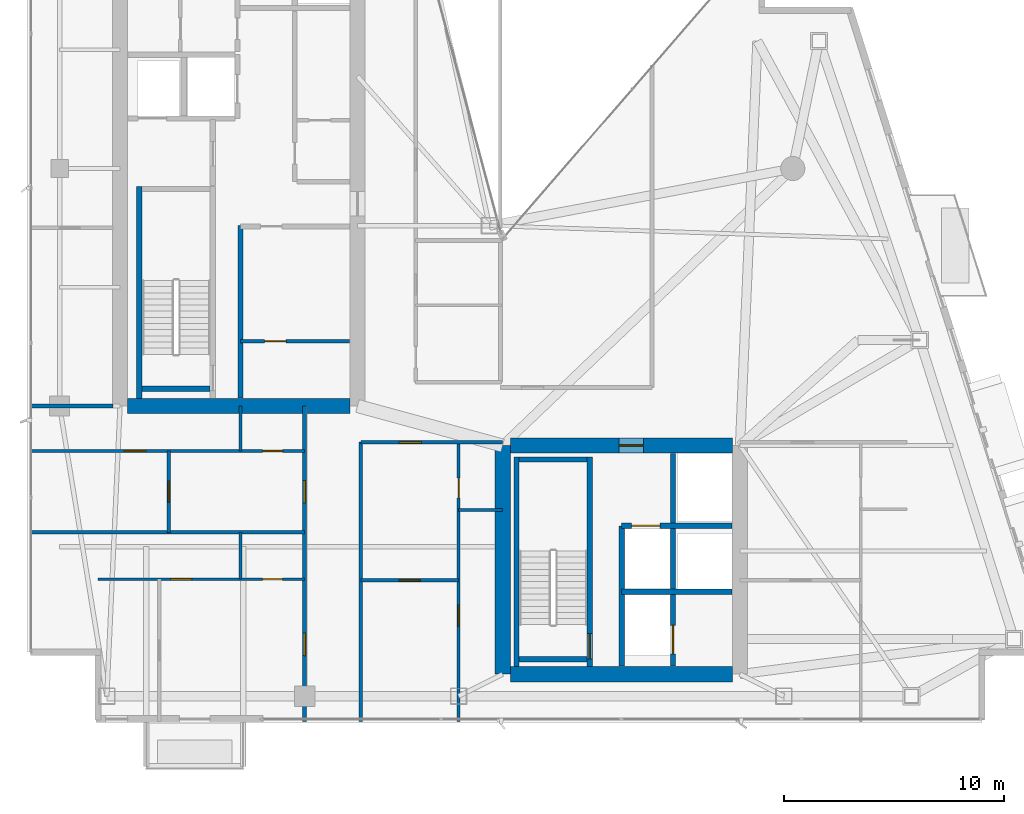
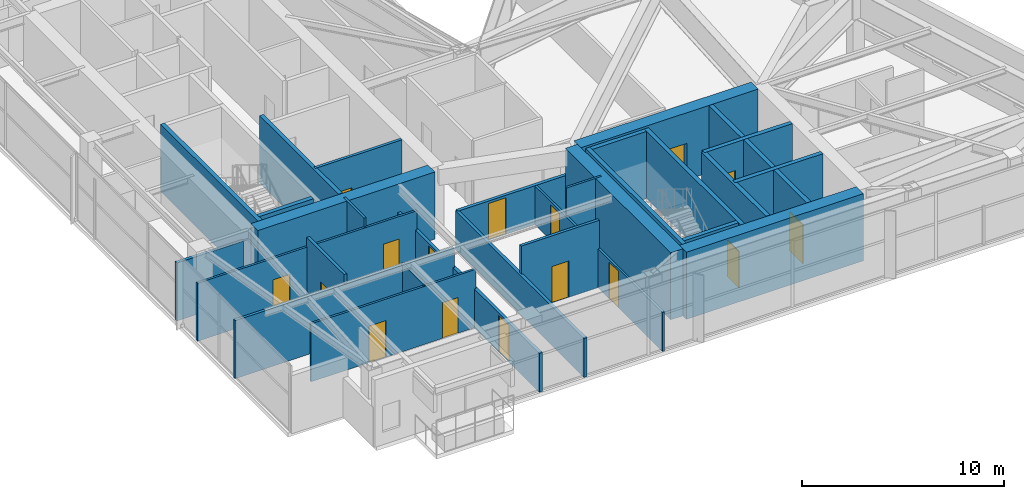
# One storey, part 24 of 29: 29 walls, 16 doors, 16 openings.
"""IFC4 building model written with IfcOpenShell, lengths in metres."""

from ifc_helpers import new_model, si_unit, direction, frame, frame_2d, origin, place, context, subcontext, project, spatial, rectangle, extrude, material, layer, layer_set, type_object, element, fill, save


model = new_model("IFC4")

# Units and contexts
model_context = context("Model", 3, precision=1e-05, world=origin(), true_north=direction((0.0, 1.0)))
body_context = subcontext(model_context, "Body", "Model", "MODEL_VIEW")
ifc_project = project(units=[si_unit("LENGTHUNIT", "METRE"), si_unit("AREAUNIT", "SQUARE_METRE"), si_unit("VOLUMEUNIT", "CUBIC_METRE"), si_unit("PLANEANGLEUNIT", "RADIAN"), si_unit("MASSUNIT", "GRAM", prefix="KILO")], contexts=[model_context])

# Site, building, storey
site_placement = place(None, origin())
site = spatial("IfcSite", under=ifc_project, at=site_placement, CompositionType="ELEMENT")
building_placement = place(site_placement, origin())
building = spatial("IfcBuilding", under=site, at=building_placement, Name="Calvorn Quay Hotel", CompositionType="ELEMENT")
storey_placement = place(building_placement, frame((0.0, 0.0, 259.0)))
storey = spatial("IfcBuildingStorey", under=building, at=storey_placement, Name="L64", CompositionType="ELEMENT", Elevation=259.0)

# Walls
ifc_material_1 = material(Name="Concrete C45", Category="concrete")
ifc_layer_1 = layer(ifc_material_1, 0.699951171875)
ifc_layer_set_1 = layer_set([ifc_layer_1], Name="WL-CORE-700")
wall_type_1 = type_object("IfcWallType", Name="WL-CORE-700", PredefinedType="SHEAR", material=ifc_layer_set_1)
wall_1_placement = place(storey_placement, frame((4.550048828125, 16.800048828125, 0.0), z_axis=(0.0, 0.0, 1.0), x_axis=(1.0, 0.0, 0.0)))
element("IfcWall", 1, at=wall_1_placement, inside=storey, type_object=wall_type_1, Name="West Core Shear Wall S (L64)", PredefinedType="SHEAR", context=body_context, shape_type="SweptSolid", body=[
    extrude(rectangle(XDim=10.099853515625, YDim=0.699951171875, at=frame_2d((5.0498046875, 0.0))), origin(), (0.0, 0.0, 1.0), 4.050048828125),
])
wall_2_placement = place(storey_placement, frame((21.60009765625, 4.60009765625, 0.0), z_axis=(0.0, 0.0, 1.0), x_axis=(0.0, 1.0, 0.0)))
element("IfcWall", 2, at=wall_2_placement, inside=storey, type_object=wall_type_1, Name="East Core Shear Wall W (L64)", PredefinedType="SHEAR", context=body_context, shape_type="SweptSolid", body=[
    extrude(rectangle(XDim=10.39990234375, YDim=0.699951171875, at=frame_2d((5.199951171875, 0.0))), origin(), (0.0, 0.0, 1.0), 4.050048828125),
])

# Wall, opening, door
wall_3_placement = place(storey_placement, frame((21.949951171875, 15.0, 0.0), z_axis=(0.0, 0.0, 1.0), x_axis=(1.0, 0.0, 0.0)))
wall_3 = element("IfcWall", 3, at=wall_3_placement, inside=storey, type_object=wall_type_1, Name="East Core Shear Wall N (L64)", PredefinedType="SHEAR", context=body_context, shape_type="SweptSolid", body=[
    extrude(rectangle(XDim=10.10009765625, YDim=0.699951171875, at=frame_2d((5.050048828125, 0.0))), origin(), (0.0, 0.0, 1.0), 4.050048828125),
])
opening_1_placement = place(wall_3_placement, frame((4.949951171875, 0.0, 0.0)))
opening_1 = element("IfcOpeningElement", 4, at=opening_1_placement, cuts=wall_3, Name="Opening D-L64-FLE", PredefinedType="OPENING", context=body_context, shape_type="SweptSolid", body=[
    extrude(rectangle(XDim=1.10009765625, YDim=2.199951171875, at=frame_2d((0.550048828125, 1.10009765625))), frame((0.0, 0.35986328125, 0.0), z_axis=(0.0, -1.0, 0.0), x_axis=(1.0, 0.0, 0.0)), (0.0, 0.0, 1.0), 0.719970703125),
])
ifc_material_2 = material(Name="Smoke-Sealed Steel Class A Fire Door", Category="steel")
door_type_1 = type_object("IfcDoorType", Name="DR-FFLOBBY-1100", OperationType="NOTDEFINED", PredefinedType="DOOR", material=ifc_material_2)
door_1_placement = place(opening_1_placement, origin())
door_1 = element("IfcDoor", 5, at=door_1_placement, inside=storey, type_object=door_type_1, Name="East Firefighting Lobby Fire Door (L64)", OperationType="SINGLE_SWING_RIGHT", OverallHeight=2.199951171875, OverallWidth=1.10009765625, PredefinedType="DOOR", context=body_context, shape_type="SweptSolid", body=[
    extrude(rectangle(XDim=1.10009765625, YDim=2.199951171875, at=frame_2d((0.550048828125, 1.10009765625))), frame((0.0, 0.02490234375, 0.0), z_axis=(0.0, -1.0, 0.0), x_axis=(1.0, 0.0, 0.0)), (0.0, 0.0, 1.0), 0.050048828125),
])
fill(opening_1, door_1)

# Walls
wall_4_placement = place(storey_placement, frame((21.949951171875, 4.60009765625, 0.0), z_axis=(0.0, 0.0, 1.0), x_axis=(1.0, 0.0, 0.0)))
element("IfcWall", 6, at=wall_4_placement, inside=storey, type_object=wall_type_1, Name="East Core Shear Wall S (L64)", PredefinedType="SHEAR", context=body_context, shape_type="SweptSolid", body=[
    extrude(rectangle(XDim=10.10009765625, YDim=0.699951171875, at=frame_2d((5.050048828125, 0.0))), origin(), (0.0, 0.0, 1.0), 4.050048828125),
])
ifc_material_3 = material(Name="Acoustic Fireboard Steel-Stud Partition", Category="steel")
ifc_layer_2 = layer(ifc_material_3, 0.179931640625)
ifc_layer_set_2 = layer_set([ifc_layer_2], Name="WL-CORR-FIRE-180")
wall_type_2 = type_object("IfcWallType", Name="WL-CORR-FIRE-180", PredefinedType="PARTITIONING", material=ifc_layer_set_2)
wall_5_placement = place(storey_placement, frame((0.080078125, 16.800048828125, 0.0), z_axis=(0.0, 0.0, 1.0), x_axis=(1.0, 0.0, 0.0)))
element("IfcWall", 7, at=wall_5_placement, inside=storey, type_object=wall_type_2, Name="Partition Wall L64-WL-WBAY-S-WALL", PredefinedType="PARTITIONING", context=body_context, shape_type="SweptSolid", body=[
    extrude(rectangle(XDim=3.7998046875, YDim=0.179931640625, at=frame_2d((1.89990234375, 0.0))), origin(), (0.0, 0.0, 1.0), 3.5),
])

# Wall, openings, doors
wall_6_placement = place(storey_placement, frame((12.60009765625, 2.43994140625, 0.0), z_axis=(0.0, 0.0, 1.0), x_axis=(0.0, 1.0, 0.0)))
wall_6 = element("IfcWall", 8, at=wall_6_placement, inside=storey, type_object=wall_type_2, Name="Partition Wall L64-WL-CORR-SW-LEG-W", PredefinedType="PARTITIONING", context=body_context, shape_type="SweptSolid", body=[
    extrude(rectangle(XDim=14.360107421875, YDim=0.179931640625, at=frame_2d((7.18017578125, 0.0))), origin(), (0.0, 0.0, 1.0), 2.35009765625),
])
opening_2_placement = place(wall_6_placement, frame((3.010009765625, 0.0, 0.0)))
opening_2 = element("IfcOpeningElement", 9, at=opening_2_placement, cuts=wall_6, Name="Opening D-L64-U01", PredefinedType="OPENING", context=body_context, shape_type="SweptSolid", body=[
    extrude(rectangle(XDim=1.02001953125, YDim=2.199951171875, at=frame_2d((0.510009765625, 1.10009765625))), frame((0.0, 0.099853515625, 0.0), z_axis=(0.0, -1.0, 0.0), x_axis=(1.0, 0.0, 0.0)), (0.0, 0.0, 1.0), 0.199951171875),
])
opening_3_placement = place(wall_6_placement, frame((9.949951171875, 0.0, 0.0)))
opening_3 = element("IfcOpeningElement", 10, at=opening_3_placement, cuts=wall_6, Name="Opening D-L64-U02", PredefinedType="OPENING", context=body_context, shape_type="SweptSolid", body=[
    extrude(rectangle(XDim=1.02001953125, YDim=2.199951171875, at=frame_2d((0.510009765625, 1.10009765625))), frame((0.0, 0.099853515625, 0.0), z_axis=(0.0, -1.0, 0.0), x_axis=(1.0, 0.0, 0.0)), (0.0, 0.0, 1.0), 0.199951171875),
])
ifc_material_4 = material(Name="Solid-Core Walnut Veneer Hotel Fire Door")
door_type_2 = type_object("IfcDoorType", Name="DR-GUEST-ENTRY-1020", OperationType="NOTDEFINED", PredefinedType="DOOR", material=ifc_material_4)
door_2_placement = place(opening_2_placement, origin())
door_2 = element("IfcDoor", 11, at=door_2_placement, inside=storey, type_object=door_type_2, Name="South-West Unit Door U01 (L64)", OperationType="SINGLE_SWING_LEFT", OverallHeight=2.199951171875, OverallWidth=1.02001953125, PredefinedType="DOOR", context=body_context, shape_type="SweptSolid", body=[
    extrude(rectangle(XDim=1.02001953125, YDim=2.199951171875, at=frame_2d((0.510009765625, 1.10009765625))), frame((0.0, 0.02490234375, 0.0), z_axis=(0.0, -1.0, 0.0), x_axis=(1.0, 0.0, 0.0)), (0.0, 0.0, 1.0), 0.050048828125),
])
fill(opening_2, door_2)
door_3_placement = place(opening_3_placement, origin())
door_3 = element("IfcDoor", 12, at=door_3_placement, inside=storey, type_object=door_type_2, Name="South-West Unit Door U02 (L64)", OperationType="SINGLE_SWING_RIGHT", OverallHeight=2.199951171875, OverallWidth=1.02001953125, PredefinedType="DOOR", context=body_context, shape_type="SweptSolid", body=[
    extrude(rectangle(XDim=1.02001953125, YDim=2.199951171875, at=frame_2d((0.510009765625, 1.10009765625))), frame((0.0, 0.02490234375, 0.0), z_axis=(0.0, -1.0, 0.0), x_axis=(1.0, 0.0, 0.0)), (0.0, 0.0, 1.0), 0.050048828125),
])
fill(opening_3, door_3)

# Wall
wall_7_placement = place(storey_placement, frame((15.14990234375, 2.43994140625, 0.0), z_axis=(0.0, 0.0, 1.0), x_axis=(0.0, 1.0, 0.0)))
element("IfcWall", 13, at=wall_7_placement, inside=storey, type_object=wall_type_2, Name="Partition Wall L64-WL-CORR-SW-W", PredefinedType="PARTITIONING", context=body_context, shape_type="SweptSolid", body=[
    extrude(rectangle(XDim=12.7099609375, YDim=0.179931640625, at=frame_2d((6.35498046875, 0.0))), origin(), (0.0, 0.0, 1.0), 2.35009765625),
])

# Wall, opening, door
wall_8_placement = place(storey_placement, frame((15.14990234375, 15.14990234375, 0.0), z_axis=(0.0, 0.0, 1.0), x_axis=(1.0, 0.0, 0.0)))
wall_8 = element("IfcWall", 14, at=wall_8_placement, inside=storey, type_object=wall_type_2, Name="Partition Wall L64-WL-SC-CORR-S", PredefinedType="PARTITIONING", context=body_context, shape_type="SweptSolid", body=[
    extrude(rectangle(XDim=6.4501953125, YDim=0.179931640625, at=frame_2d((3.22509765625, 0.0))), origin(), (0.0, 0.0, 1.0), 2.35009765625),
])
opening_4_placement = place(wall_8_placement, frame((1.739990234375, 0.0, 0.0)))
opening_4 = element("IfcOpeningElement", 15, at=opening_4_placement, cuts=wall_8, Name="Opening D-L64-U03", PredefinedType="OPENING", context=body_context, shape_type="SweptSolid", body=[
    extrude(rectangle(XDim=1.02001953125, YDim=2.199951171875, at=frame_2d((0.510009765625, 1.10009765625))), frame((0.0, 0.099853515625, 0.0), z_axis=(0.0, -1.0, 0.0), x_axis=(1.0, 0.0, 0.0)), (0.0, 0.0, 1.0), 0.199951171875),
])
door_4_placement = place(opening_4_placement, origin())
door_4 = element("IfcDoor", 16, at=door_4_placement, inside=storey, type_object=door_type_2, Name="Harbour Central Unit Door (L64)", OperationType="SINGLE_SWING_LEFT", OverallHeight=2.199951171875, OverallWidth=1.02001953125, PredefinedType="DOOR", context=body_context, shape_type="SweptSolid", body=[
    extrude(rectangle(XDim=1.02001953125, YDim=2.199951171875, at=frame_2d((0.510009765625, 1.10009765625))), frame((0.0, 0.02490234375, 0.0), z_axis=(0.0, -1.0, 0.0), x_axis=(1.0, 0.0, 0.0)), (0.0, 0.0, 1.0), 0.050048828125),
])
fill(opening_4, door_4)

# Wall
ifc_material_5 = material(Name="Moisture-Resistant Tile-Backed Partition")
ifc_layer_3 = layer(ifc_material_5, 0.125)
ifc_layer_set_3 = layer_set([ifc_layer_3], Name="WL-ENSUITE-125")
wall_type_3 = type_object("IfcWallType", Name="WL-ENSUITE-125", PredefinedType="PARTITIONING", material=ifc_layer_set_3)
wall_9_placement = place(storey_placement, frame((9.679931640625, 8.919921875, 0.0), z_axis=(0.0, 0.0, 1.0), x_axis=(0.0, 1.0, 0.0)))
element("IfcWall", 17, at=wall_9_placement, inside=storey, type_object=wall_type_3, Name="Partition Wall L64-WL-U01-BDV", PredefinedType="PARTITIONING", context=body_context, shape_type="SweptSolid", body=[
    extrude(rectangle(XDim=2.130126953125, YDim=0.125, at=frame_2d((1.06494140625, 0.0))), origin(), (0.0, 0.0, 1.0), 3.60009765625),
])

# Wall, openings, doors
wall_10_placement = place(storey_placement, frame((3.199951171875, 8.919921875, 0.0), z_axis=(0.0, 0.0, 1.0), x_axis=(1.0, 0.0, 0.0)))
wall_10 = element("IfcWall", 18, at=wall_10_placement, inside=storey, type_object=wall_type_3, Name="Partition Wall L64-WL-U01-BH", PredefinedType="PARTITIONING", context=body_context, shape_type="SweptSolid", body=[
    extrude(rectangle(XDim=9.400146484375, YDim=0.125, at=frame_2d((4.7001953125, 0.0))), origin(), (0.0, 0.0, 1.0), 3.5),
])
opening_5_placement = place(wall_10_placement, frame((3.300048828125, 0.0, 0.0)))
opening_5 = element("IfcOpeningElement", 19, at=opening_5_placement, cuts=wall_10, Name="Opening D-L64-S01", PredefinedType="OPENING", context=body_context, shape_type="SweptSolid", body=[
    extrude(rectangle(XDim=0.9599609375, YDim=2.199951171875, at=frame_2d((0.47998046875, 1.10009765625))), frame((0.0, 0.072509765625, 0.0), z_axis=(0.0, -1.0, 0.0), x_axis=(1.0, 0.0, 0.0)), (0.0, 0.0, 1.0), 0.14501953125),
])
opening_6_placement = place(wall_10_placement, frame((7.489990234375, 0.0, 0.0)))
opening_6 = element("IfcOpeningElement", 20, at=opening_6_placement, cuts=wall_10, Name="Opening D-L64-E01", PredefinedType="OPENING", context=body_context, shape_type="SweptSolid", body=[
    extrude(rectangle(XDim=0.89990234375, YDim=2.14990234375, at=frame_2d((0.449951171875, 1.074951171875))), frame((0.0, 0.072509765625, 0.0), z_axis=(0.0, -1.0, 0.0), x_axis=(1.0, 0.0, 0.0)), (0.0, 0.0, 1.0), 0.14501953125),
])
ifc_material_6 = material(Name="Moisture-Sealed Timber En-Suite Door", Category="wood")
door_type_3 = type_object("IfcDoorType", Name="DR-ENSUITE-900", OperationType="NOTDEFINED", PredefinedType="DOOR", material=ifc_material_6)
door_5_placement = place(opening_6_placement, origin())
door_5 = element("IfcDoor", 21, at=door_5_placement, inside=storey, type_object=door_type_3, Name="En-Suite Door 01", OperationType="SINGLE_SWING_RIGHT", OverallHeight=2.14990234375, OverallWidth=0.89990234375, PredefinedType="DOOR", context=body_context, shape_type="SweptSolid", body=[
    extrude(rectangle(XDim=0.89990234375, YDim=2.14990234375, at=frame_2d((0.449951171875, 1.074951171875))), frame((0.0, 0.02490234375, 0.0), z_axis=(0.0, -1.0, 0.0), x_axis=(1.0, 0.0, 0.0)), (0.0, 0.0, 1.0), 0.050048828125),
])
fill(opening_6, door_5)
ifc_material_7 = material(Name="Solid Timber Internal Suite Door", Category="wood")
door_type_4 = type_object("IfcDoorType", Name="DR-SUITE-INT-960", OperationType="NOTDEFINED", PredefinedType="DOOR", material=ifc_material_7)
door_6_placement = place(opening_5_placement, origin())
door_6 = element("IfcDoor", 22, at=door_6_placement, inside=storey, type_object=door_type_4, Name="Children Play Nursery Door 01", OperationType="SINGLE_SWING_LEFT", OverallHeight=2.199951171875, OverallWidth=0.9599609375, PredefinedType="DOOR", context=body_context, shape_type="SweptSolid", body=[
    extrude(rectangle(XDim=0.9599609375, YDim=2.199951171875, at=frame_2d((0.47998046875, 1.10009765625))), frame((0.0, 0.02490234375, 0.0), z_axis=(0.0, -1.0, 0.0), x_axis=(1.0, 0.0, 0.0)), (0.0, 0.0, 1.0), 0.050048828125),
])
fill(opening_5, door_6)

# Wall
wall_11_placement = place(storey_placement, frame((9.679931640625, 14.75, 0.0), z_axis=(0.0, 0.0, 1.0), x_axis=(0.0, 1.0, 0.0)))
element("IfcWall", 23, at=wall_11_placement, inside=storey, type_object=wall_type_3, Name="Partition Wall L64-WL-U02-BDV", PredefinedType="PARTITIONING", context=body_context, shape_type="SweptSolid", body=[
    extrude(rectangle(XDim=2.050048828125, YDim=0.125, at=frame_2d((1.02490234375, 0.0))), origin(), (0.0, 0.0, 1.0), 4.050048828125),
])

# Wall, openings, doors
wall_12_placement = place(storey_placement, frame((0.080078125, 14.75, 0.0), z_axis=(0.0, 0.0, 1.0), x_axis=(1.0, 0.0, 0.0)))
wall_12 = element("IfcWall", 24, at=wall_12_placement, inside=storey, type_object=wall_type_3, Name="Partition Wall L64-WL-U02-BH", PredefinedType="PARTITIONING", context=body_context, shape_type="SweptSolid", body=[
    extrude(rectangle(XDim=12.52001953125, YDim=0.125, at=frame_2d((6.260009765625, 0.0))), origin(), (0.0, 0.0, 1.0), 3.5),
])
opening_7_placement = place(wall_12_placement, frame((4.320068359375, 0.0, 0.0)))
opening_7 = element("IfcOpeningElement", 25, at=opening_7_placement, cuts=wall_12, Name="Opening D-L64-S02", PredefinedType="OPENING", context=body_context, shape_type="SweptSolid", body=[
    extrude(rectangle(XDim=0.9599609375, YDim=2.199951171875, at=frame_2d((0.47998046875, 1.10009765625))), frame((0.0, 0.072509765625, 0.0), z_axis=(0.0, -1.0, 0.0), x_axis=(1.0, 0.0, 0.0)), (0.0, 0.0, 1.0), 0.14501953125),
])
opening_8_placement = place(wall_12_placement, frame((10.610107421875, 0.0, 0.0)))
opening_8 = element("IfcOpeningElement", 26, at=opening_8_placement, cuts=wall_12, Name="Opening D-L64-E02", PredefinedType="OPENING", context=body_context, shape_type="SweptSolid", body=[
    extrude(rectangle(XDim=0.89990234375, YDim=2.14990234375, at=frame_2d((0.449951171875, 1.074951171875))), frame((0.0, 0.072509765625, 0.0), z_axis=(0.0, -1.0, 0.0), x_axis=(1.0, 0.0, 0.0)), (0.0, 0.0, 1.0), 0.14501953125),
])
door_7_placement = place(opening_8_placement, origin())
door_7 = element("IfcDoor", 27, at=door_7_placement, inside=storey, type_object=door_type_3, Name="En-Suite Door 02", OperationType="SINGLE_SWING_RIGHT", OverallHeight=2.14990234375, OverallWidth=0.89990234375, PredefinedType="DOOR", context=body_context, shape_type="SweptSolid", body=[
    extrude(rectangle(XDim=0.89990234375, YDim=2.14990234375, at=frame_2d((0.449951171875, 1.074951171875))), frame((0.0, 0.02490234375, 0.0), z_axis=(0.0, -1.0, 0.0), x_axis=(1.0, 0.0, 0.0)), (0.0, 0.0, 1.0), 0.050048828125),
])
fill(opening_8, door_7)
door_8_placement = place(opening_7_placement, origin())
door_8 = element("IfcDoor", 28, at=door_8_placement, inside=storey, type_object=door_type_4, Name="Children Play Nursery Door 02", OperationType="SINGLE_SWING_LEFT", OverallHeight=2.199951171875, OverallWidth=0.9599609375, PredefinedType="DOOR", context=body_context, shape_type="SweptSolid", body=[
    extrude(rectangle(XDim=0.9599609375, YDim=2.199951171875, at=frame_2d((0.47998046875, 1.10009765625))), frame((0.0, 0.02490234375, 0.0), z_axis=(0.0, -1.0, 0.0), x_axis=(1.0, 0.0, 0.0)), (0.0, 0.0, 1.0), 0.050048828125),
])
fill(opening_7, door_8)

# Wall
wall_13_placement = place(storey_placement, frame((19.60009765625, 12.070068359375, 0.0), z_axis=(0.0, 0.0, 1.0), x_axis=(1.0, 0.0, 0.0)))
element("IfcWall", 29, at=wall_13_placement, inside=storey, type_object=wall_type_3, Name="Partition Wall L64-WL-U03-BDV", PredefinedType="PARTITIONING", context=body_context, shape_type="SweptSolid", body=[
    extrude(rectangle(XDim=2.0, YDim=0.125, at=frame_2d((1.0, 0.0))), origin(), (0.0, 0.0, 1.0), 4.050048828125),
])

# Wall, openings, doors
wall_14_placement = place(storey_placement, frame((19.60009765625, 2.43994140625, 0.0), z_axis=(0.0, 0.0, 1.0), x_axis=(0.0, 1.0, 0.0)))
wall_14 = element("IfcWall", 30, at=wall_14_placement, inside=storey, type_object=wall_type_3, Name="Partition Wall L64-WL-U03-BV", PredefinedType="PARTITIONING", context=body_context, shape_type="SweptSolid", body=[
    extrude(rectangle(XDim=12.7099609375, YDim=0.125, at=frame_2d((6.35498046875, 0.0))), origin(), (0.0, 0.0, 1.0), 2.35009765625),
])
opening_9_placement = place(wall_14_placement, frame((4.340087890625, 0.0, 0.0)))
opening_9 = element("IfcOpeningElement", 31, at=opening_9_placement, cuts=wall_14, Name="Opening D-L64-S03", PredefinedType="OPENING", context=body_context, shape_type="SweptSolid", body=[
    extrude(rectangle(XDim=0.9599609375, YDim=2.199951171875, at=frame_2d((0.47998046875, 1.10009765625))), frame((0.0, 0.072509765625, 0.0), z_axis=(0.0, -1.0, 0.0), x_axis=(1.0, 0.0, 0.0)), (0.0, 0.0, 1.0), 0.14501953125),
])
opening_10_placement = place(wall_14_placement, frame((10.179931640625, 0.0, 0.0)))
opening_10 = element("IfcOpeningElement", 32, at=opening_10_placement, cuts=wall_14, Name="Opening D-L64-E03", PredefinedType="OPENING", context=body_context, shape_type="SweptSolid", body=[
    extrude(rectangle(XDim=0.89990234375, YDim=2.14990234375, at=frame_2d((0.449951171875, 1.074951171875))), frame((0.0, 0.072509765625, 0.0), z_axis=(0.0, -1.0, 0.0), x_axis=(1.0, 0.0, 0.0)), (0.0, 0.0, 1.0), 0.14501953125),
])
door_9_placement = place(opening_10_placement, origin())
door_9 = element("IfcDoor", 33, at=door_9_placement, inside=storey, type_object=door_type_3, Name="En-Suite Door 03", OperationType="SINGLE_SWING_RIGHT", OverallHeight=2.14990234375, OverallWidth=0.89990234375, PredefinedType="DOOR", context=body_context, shape_type="SweptSolid", body=[
    extrude(rectangle(XDim=0.89990234375, YDim=2.14990234375, at=frame_2d((0.449951171875, 1.074951171875))), frame((0.0, 0.02490234375, 0.0), z_axis=(0.0, -1.0, 0.0), x_axis=(1.0, 0.0, 0.0)), (0.0, 0.0, 1.0), 0.050048828125),
])
fill(opening_10, door_9)
door_10_placement = place(opening_9_placement, origin())
door_10 = element("IfcDoor", 34, at=door_10_placement, inside=storey, type_object=door_type_4, Name="Children Play Nursery Door 03", OperationType="SINGLE_SWING_LEFT", OverallHeight=2.199951171875, OverallWidth=0.9599609375, PredefinedType="DOOR", context=body_context, shape_type="SweptSolid", body=[
    extrude(rectangle(XDim=0.9599609375, YDim=2.199951171875, at=frame_2d((0.47998046875, 1.10009765625))), frame((0.0, 0.02490234375, 0.0), z_axis=(0.0, -1.0, 0.0), x_axis=(1.0, 0.0, 0.0)), (0.0, 0.0, 1.0), 0.050048828125),
])
fill(opening_9, door_10)

# Wall, opening, door
ifc_material_8 = material(Name="Double-Stud Acoustic Gypsum Partition")
ifc_layer_4 = layer(ifc_material_8, 0.159912109375)
ifc_layer_set_4 = layer_set([ifc_layer_4], Name="WL-INTERSUITE-160")
wall_type_4 = type_object("IfcWallType", Name="WL-INTERSUITE-160", PredefinedType="PARTITIONING", material=ifc_layer_set_4)
wall_15_placement = place(storey_placement, frame((9.679931640625, 19.75, 0.0), z_axis=(0.0, 0.0, 1.0), x_axis=(1.0, 0.0, 0.0)))
wall_15 = element("IfcWall", 35, at=wall_15_placement, inside=storey, type_object=wall_type_4, Name="Partition Wall L64-WL-CWW-FR-SPLIT", PredefinedType="PARTITIONING", context=body_context, shape_type="SweptSolid", body=[
    extrude(rectangle(XDim=4.949951171875, YDim=0.159912109375, at=frame_2d((2.47509765625, 0.0))), origin(), (0.0, 0.0, 1.0), 4.050048828125),
])
opening_11_placement = place(wall_15_placement, frame((1.10009765625, 0.0, 0.0)))
opening_11 = element("IfcOpeningElement", 36, at=opening_11_placement, cuts=wall_15, Name="Opening D-L64-FRL1", PredefinedType="OPENING", context=body_context, shape_type="SweptSolid", body=[
    extrude(rectangle(XDim=0.97998046875, YDim=2.14990234375, at=frame_2d((0.489990234375, 1.074951171875))), frame((0.0, 0.08984375, 0.0), z_axis=(0.0, -1.0, 0.0), x_axis=(1.0, 0.0, 0.0)), (0.0, 0.0, 1.0), 0.179931640625),
])
ifc_material_9 = material(Name="Painted Steel Housekeeping/Riser Fire Door", Category="steel")
door_type_5 = type_object("IfcDoorType", Name="DR-SERVICE-980", OperationType="NOTDEFINED", PredefinedType="DOOR", material=ifc_material_9)
door_11_placement = place(opening_11_placement, origin())
door_11 = element("IfcDoor", 37, at=door_11_placement, inside=storey, type_object=door_type_5, Name="Linen Store Room Door (L64)", OperationType="SINGLE_SWING_LEFT", OverallHeight=2.14990234375, OverallWidth=0.97998046875, PredefinedType="DOOR", context=body_context, shape_type="SweptSolid", body=[
    extrude(rectangle(XDim=0.97998046875, YDim=2.14990234375, at=frame_2d((0.489990234375, 1.074951171875))), frame((0.0, 0.02490234375, 0.0), z_axis=(0.0, -1.0, 0.0), x_axis=(1.0, 0.0, 0.0)), (0.0, 0.0, 1.0), 0.050048828125),
])
fill(opening_11, door_11)

wall_16_placement = place(storey_placement, frame((6.419921875, 11.050048828125, 0.0), z_axis=(0.0, 0.0, 1.0), x_axis=(0.0, 1.0, 0.0)))
wall_16 = element("IfcWall", 38, at=wall_16_placement, inside=storey, type_object=wall_type_4, Name="Partition Wall L64-WL-U02-MSP", PredefinedType="PARTITIONING", context=body_context, shape_type="SweptSolid", body=[
    extrude(rectangle(XDim=3.699951171875, YDim=0.159912109375, at=frame_2d((1.85009765625, 0.0))), origin(), (0.0, 0.0, 1.0), 4.050048828125),
])
opening_12_placement = place(wall_16_placement, frame((1.3701171875, 0.0, 0.0)))
opening_12 = element("IfcOpeningElement", 39, at=opening_12_placement, cuts=wall_16, Name="Opening D-L64-M02", PredefinedType="OPENING", context=body_context, shape_type="SweptSolid", body=[
    extrude(rectangle(XDim=0.9599609375, YDim=2.199951171875, at=frame_2d((0.47998046875, 1.10009765625))), frame((0.0, 0.08984375, 0.0), z_axis=(0.0, -1.0, 0.0), x_axis=(1.0, 0.0, 0.0)), (0.0, 0.0, 1.0), 0.179931640625),
])
door_12_placement = place(opening_12_placement, origin())
door_12 = element("IfcDoor", 40, at=door_12_placement, inside=storey, type_object=door_type_4, Name="Suite Bedroom Door 02", OperationType="SINGLE_SWING_LEFT", OverallHeight=2.199951171875, OverallWidth=0.9599609375, PredefinedType="DOOR", context=body_context, shape_type="SweptSolid", body=[
    extrude(rectangle(XDim=0.9599609375, YDim=2.199951171875, at=frame_2d((0.47998046875, 1.10009765625))), frame((0.0, 0.02490234375, 0.0), z_axis=(0.0, -1.0, 0.0), x_axis=(1.0, 0.0, 0.0)), (0.0, 0.0, 1.0), 0.050048828125),
])
fill(opening_12, door_12)

# Wall
wall_17_placement = place(storey_placement, frame((0.080078125, 11.050048828125, 0.0), z_axis=(0.0, 0.0, 1.0), x_axis=(1.0, 0.0, 0.0)))
element("IfcWall", 41, at=wall_17_placement, inside=storey, type_object=wall_type_4, Name="Partition Wall L64-WL-SW-DIV-1", PredefinedType="PARTITIONING", context=body_context, shape_type="SweptSolid", body=[
    extrude(rectangle(XDim=12.52001953125, YDim=0.159912109375, at=frame_2d((6.260009765625, 0.0))), origin(), (0.0, 0.0, 1.0), 3.5),
])

# Wall, opening, door
wall_18_placement = place(storey_placement, frame((15.14990234375, 8.8701171875, 0.0), z_axis=(0.0, 0.0, 1.0), x_axis=(1.0, 0.0, 0.0)))
wall_18 = element("IfcWall", 42, at=wall_18_placement, inside=storey, type_object=wall_type_4, Name="Partition Wall L64-WL-U03-MSP", PredefinedType="PARTITIONING", context=body_context, shape_type="SweptSolid", body=[
    extrude(rectangle(XDim=4.4501953125, YDim=0.159912109375, at=frame_2d((2.22509765625, 0.0))), origin(), (0.0, 0.0, 1.0), 4.050048828125),
])
opening_13_placement = place(wall_18_placement, frame((1.75, 0.0, 0.0)))
opening_13 = element("IfcOpeningElement", 43, at=opening_13_placement, cuts=wall_18, Name="Opening D-L64-M03", PredefinedType="OPENING", context=body_context, shape_type="SweptSolid", body=[
    extrude(rectangle(XDim=0.9599609375, YDim=2.199951171875, at=frame_2d((0.47998046875, 1.10009765625))), frame((0.0, 0.08984375, 0.0), z_axis=(0.0, -1.0, 0.0), x_axis=(1.0, 0.0, 0.0)), (0.0, 0.0, 1.0), 0.179931640625),
])
door_13_placement = place(opening_13_placement, origin())
door_13 = element("IfcDoor", 44, at=door_13_placement, inside=storey, type_object=door_type_4, Name="Suite Bedroom Door 03", OperationType="SINGLE_SWING_LEFT", OverallHeight=2.199951171875, OverallWidth=0.9599609375, PredefinedType="DOOR", context=body_context, shape_type="SweptSolid", body=[
    extrude(rectangle(XDim=0.9599609375, YDim=2.199951171875, at=frame_2d((0.47998046875, 1.10009765625))), frame((0.0, 0.02490234375, 0.0), z_axis=(0.0, -1.0, 0.0), x_axis=(1.0, 0.0, 0.0)), (0.0, 0.0, 1.0), 0.050048828125),
])
fill(opening_13, door_13)

# Walls
ifc_material_10 = material(Name="Autoclaved Aerated Masonry Block", Category="masonry")
ifc_layer_5 = layer(ifc_material_10, 0.219970703125)
ifc_layer_set_5 = layer_set([ifc_layer_5], Name="WL-LOBBY-FIRE-220")
wall_type_5 = type_object("IfcWallType", Name="WL-LOBBY-FIRE-220", PredefinedType="SOLIDWALL", material=ifc_layer_set_5)
wall_19_placement = place(storey_placement, frame((9.679931640625, 17.169921875, 0.0), z_axis=(0.0, 0.0, 1.0), x_axis=(0.0, 1.0, 0.0)))
element("IfcWall", 45, at=wall_19_placement, inside=storey, type_object=wall_type_5, Name="Partition Wall L64-WL-CWW-STW-HALL-E", PredefinedType="SOLIDWALL", context=body_context, shape_type="SweptSolid", body=[
    extrude(rectangle(XDim=7.830078125, YDim=0.219970703125, at=frame_2d((3.9150390625, 0.0))), origin(), (0.0, 0.0, 1.0), 4.050048828125),
])
ifc_material_11 = material(Name="Concrete C40", Category="concrete")
ifc_layer_6 = layer(ifc_material_11, 0.239990234375)
ifc_layer_set_6 = layer_set([ifc_layer_6], Name="WL-SHAFT-240")
wall_type_6 = type_object("IfcWallType", Name="WL-SHAFT-240", PredefinedType="SOLIDWALL", material=ifc_layer_set_6)
wall_20_placement = place(storey_placement, frame((5.080078125, 17.14990234375, 0.0), z_axis=(0.0, 0.0, 1.0), x_axis=(0.0, 1.0, 0.0)))
element("IfcWall", 46, at=wall_20_placement, inside=storey, type_object=wall_type_6, Name="Stair STW Shaft Wall W (L64)", PredefinedType="SOLIDWALL", context=body_context, shape_type="SweptSolid", body=[
    extrude(rectangle(XDim=9.64013671875, YDim=0.239990234375, at=frame_2d((4.820068359375, 0.0))), origin(), (0.0, 0.0, 1.0), 4.050048828125),
])
wall_21_placement = place(storey_placement, frame((5.199951171875, 17.580078125, 0.0), z_axis=(0.0, 0.0, 1.0), x_axis=(1.0, 0.0, 0.0)))
element("IfcWall", 47, at=wall_21_placement, inside=storey, type_object=wall_type_6, Name="Stair STW Shaft Wall S (L64)", PredefinedType="SOLIDWALL", context=body_context, shape_type="SweptSolid", body=[
    extrude(rectangle(XDim=3.10009765625, YDim=0.239990234375, at=frame_2d((1.550048828125, 0.0))), origin(), (0.0, 0.0, 1.0), 4.050048828125),
])
wall_22_placement = place(storey_placement, frame((22.22998046875, 4.949951171875, 0.0), z_axis=(0.0, 0.0, 1.0), x_axis=(0.0, 1.0, 0.0)))
element("IfcWall", 48, at=wall_22_placement, inside=storey, type_object=wall_type_6, Name="Stair STE Shaft Wall W (L64)", PredefinedType="SOLIDWALL", context=body_context, shape_type="SweptSolid", body=[
    extrude(rectangle(XDim=9.5400390625, YDim=0.239990234375, at=frame_2d((4.77001953125, 0.0))), origin(), (0.0, 0.0, 1.0), 4.050048828125),
])

# Wall, opening, door
wall_23_placement = place(storey_placement, frame((25.570068359375, 4.949951171875, 0.0), z_axis=(0.0, 0.0, 1.0), x_axis=(0.0, 1.0, 0.0)))
wall_23 = element("IfcWall", 49, at=wall_23_placement, inside=storey, type_object=wall_type_6, Name="Stair STE Shaft Wall E (L64)", PredefinedType="SOLIDWALL", context=body_context, shape_type="SweptSolid", body=[
    extrude(rectangle(XDim=9.5400390625, YDim=0.239990234375, at=frame_2d((4.77001953125, 0.0))), origin(), (0.0, 0.0, 1.0), 4.050048828125),
])
opening_14_placement = place(wall_23_placement, frame((0.35009765625, 0.0, 0.0)))
opening_14 = element("IfcOpeningElement", 50, at=opening_14_placement, cuts=wall_23, Name="Opening D-L64-STE", PredefinedType="OPENING", context=body_context, shape_type="SweptSolid", body=[
    extrude(rectangle(XDim=1.14990234375, YDim=2.199951171875, at=frame_2d((0.574951171875, 1.10009765625))), frame((0.0, 0.1298828125, 0.0), z_axis=(0.0, -1.0, 0.0), x_axis=(1.0, 0.0, 0.0)), (0.0, 0.0, 1.0), 0.260009765625),
])
ifc_material_12 = material(Name="Galvanised Steel Class A Fire Door", Category="steel")
door_type_6 = type_object("IfcDoorType", Name="DR-STAIR-SMOKE-1150", OperationType="NOTDEFINED", PredefinedType="DOOR", material=ifc_material_12)
door_14_placement = place(opening_14_placement, origin())
door_14 = element("IfcDoor", 51, at=door_14_placement, inside=storey, type_object=door_type_6, Name="Stair ST-E Fire Door (L64)", OperationType="SINGLE_SWING_RIGHT", OverallHeight=2.199951171875, OverallWidth=1.14990234375, PredefinedType="DOOR", context=body_context, shape_type="SweptSolid", body=[
    extrude(rectangle(XDim=1.14990234375, YDim=2.199951171875, at=frame_2d((0.574951171875, 1.10009765625))), frame((0.0, 0.02490234375, 0.0), z_axis=(0.0, -1.0, 0.0), x_axis=(1.0, 0.0, 0.0)), (0.0, 0.0, 1.0), 0.050048828125),
])
fill(opening_14, door_14)

# Walls
for number, where, z_axis, x_axis, name in (
    (52, (22.35009765625, 5.280029296875, 0.0), (0.0, 0.0, 1.0), (1.0, 0.0, 0.0), "Stair STE Shaft Wall S (L64)"),
    (53, (22.35009765625, 14.3701171875, 0.0), (0.0, 0.0, 1.0), (1.0, 0.0, 0.0), "Stair STE Shaft Wall N (L64)"),
):
    element("IfcWall", number, at=place(storey_placement, frame(where, z_axis=z_axis, x_axis=x_axis)), inside=storey, type_object=wall_type_6, Name=name, PredefinedType="SOLIDWALL", context=body_context, shape_type="SweptSolid", body=[
        extrude(rectangle(XDim=3.099853515625, YDim=0.239990234375, at=frame_2d((1.5498046875, 0.0))), origin(), (0.0, 0.0, 1.0), 4.050048828125),
    ])
wall_24_placement = place(storey_placement, frame((27.02001953125, 4.969970703125, 0.0), z_axis=(0.0, 0.0, 1.0), x_axis=(0.0, 1.0, 0.0)))
element("IfcWall", 54, at=wall_24_placement, inside=storey, type_object=wall_type_6, Name="Partition Wall L64-WL-CWE-SH-W", PredefinedType="SOLIDWALL", context=body_context, shape_type="SweptSolid", body=[
    extrude(rectangle(XDim=6.380126953125, YDim=0.239990234375, at=frame_2d((3.18994140625, 0.0))), origin(), (0.0, 0.0, 1.0), 4.050048828125),
])

# Wall, opening, door
wall_25_placement = place(storey_placement, frame((27.02001953125, 11.35009765625, 0.0), z_axis=(0.0, 0.0, 1.0), x_axis=(1.0, 0.0, 0.0)))
wall_25 = element("IfcWall", 55, at=wall_25_placement, inside=storey, type_object=wall_type_6, Name="Partition Wall L64-WL-CWE-FFL-S", PredefinedType="SOLIDWALL", context=body_context, shape_type="SweptSolid", body=[
    extrude(rectangle(XDim=5.010009765625, YDim=0.239990234375, at=frame_2d((2.5048828125, 0.0))), origin(), (0.0, 0.0, 1.0), 4.050048828125),
])
opening_15_placement = place(wall_25_placement, frame((0.449951171875, 0.0, 0.0)))
opening_15 = element("IfcOpeningElement", 56, at=opening_15_placement, cuts=wall_25, Name="Opening LD-L64-FLE1", PredefinedType="OPENING", context=body_context, shape_type="SweptSolid", body=[
    extrude(rectangle(XDim=1.300048828125, YDim=2.35009765625, at=frame_2d((0.64990234375, 1.175048828125))), frame((0.0, 0.1298828125, 0.0), z_axis=(0.0, -1.0, 0.0), x_axis=(1.0, 0.0, 0.0)), (0.0, 0.0, 1.0), 0.260009765625),
])
ifc_material_13 = material(Name="Champagne-Bronze Sliding Express Lift Landing Door")
door_type_7 = type_object("IfcDoorType", Name="DR-LIFT-SHUTTLE-1300", OperationType="NOTDEFINED", PredefinedType="DOOR", material=ifc_material_13)
door_15_placement = place(opening_15_placement, origin())
door_15 = element("IfcDoor", 57, at=door_15_placement, inside=storey, type_object=door_type_7, Name="Firefighting Lift FL-E1 Landing Door (L64)", OperationType="DOUBLE_DOOR_SLIDING", OverallHeight=2.35009765625, OverallWidth=1.300048828125, PredefinedType="DOOR", context=body_context, shape_type="SweptSolid", body=[
    extrude(rectangle(XDim=1.300048828125, YDim=2.35009765625, at=frame_2d((0.64990234375, 1.175048828125))), frame((0.0, 0.02490234375, 0.0), z_axis=(0.0, -1.0, 0.0), x_axis=(1.0, 0.0, 0.0)), (0.0, 0.0, 1.0), 0.050048828125),
])
fill(opening_15, door_15)

# Wall
wall_26_placement = place(storey_placement, frame((27.02001953125, 8.35009765625, 0.0), z_axis=(0.0, 0.0, 1.0), x_axis=(1.0, 0.0, 0.0)))
element("IfcWall", 58, at=wall_26_placement, inside=storey, type_object=wall_type_6, Name="Partition Wall L64-WL-CWE-SL-N", PredefinedType="SOLIDWALL", context=body_context, shape_type="SweptSolid", body=[
    extrude(rectangle(XDim=5.010009765625, YDim=0.239990234375, at=frame_2d((2.5048828125, 0.0))), origin(), (0.0, 0.0, 1.0), 4.050048828125),
])

# Wall, opening, door
wall_27_placement = place(storey_placement, frame((29.35009765625, 4.969970703125, 0.0), z_axis=(0.0, 0.0, 1.0), x_axis=(0.0, 1.0, 0.0)))
wall_27 = element("IfcWall", 59, at=wall_27_placement, inside=storey, type_object=wall_type_6, Name="Partition Wall L64-WL-CWE-OB-W", PredefinedType="SOLIDWALL", context=body_context, shape_type="SweptSolid", body=[
    extrude(rectangle(XDim=9.659912109375, YDim=0.239990234375, at=frame_2d((4.830078125, 0.0))), origin(), (0.0, 0.0, 1.0), 4.050048828125),
])
opening_16_placement = place(wall_27_placement, frame((0.550048828125, 0.0, 0.0)))
opening_16 = element("IfcOpeningElement", 60, at=opening_16_placement, cuts=wall_27, Name="Opening LD-L64-SLEI", PredefinedType="OPENING", context=body_context, shape_type="SweptSolid", body=[
    extrude(rectangle(XDim=1.300048828125, YDim=2.35009765625, at=frame_2d((0.64990234375, 1.175048828125))), frame((0.0, 0.1298828125, 0.0), z_axis=(0.0, -1.0, 0.0), x_axis=(1.0, 0.0, 0.0)), (0.0, 0.0, 1.0), 0.260009765625),
])
door_16_placement = place(opening_16_placement, origin())
door_16 = element("IfcDoor", 61, at=door_16_placement, inside=storey, type_object=door_type_7, Name="Service Lift SL-E1 Landing Door (L64)", OperationType="DOUBLE_DOOR_SLIDING", OverallHeight=2.35009765625, OverallWidth=1.300048828125, PredefinedType="DOOR", context=body_context, shape_type="SweptSolid", body=[
    extrude(rectangle(XDim=1.300048828125, YDim=2.35009765625, at=frame_2d((0.64990234375, 1.175048828125))), frame((0.0, 0.02490234375, 0.0), z_axis=(0.0, -1.0, 0.0), x_axis=(1.0, 0.0, 0.0)), (0.0, 0.0, 1.0), 0.050048828125),
])
fill(opening_16, door_16)

save(model, "model.ifc")
